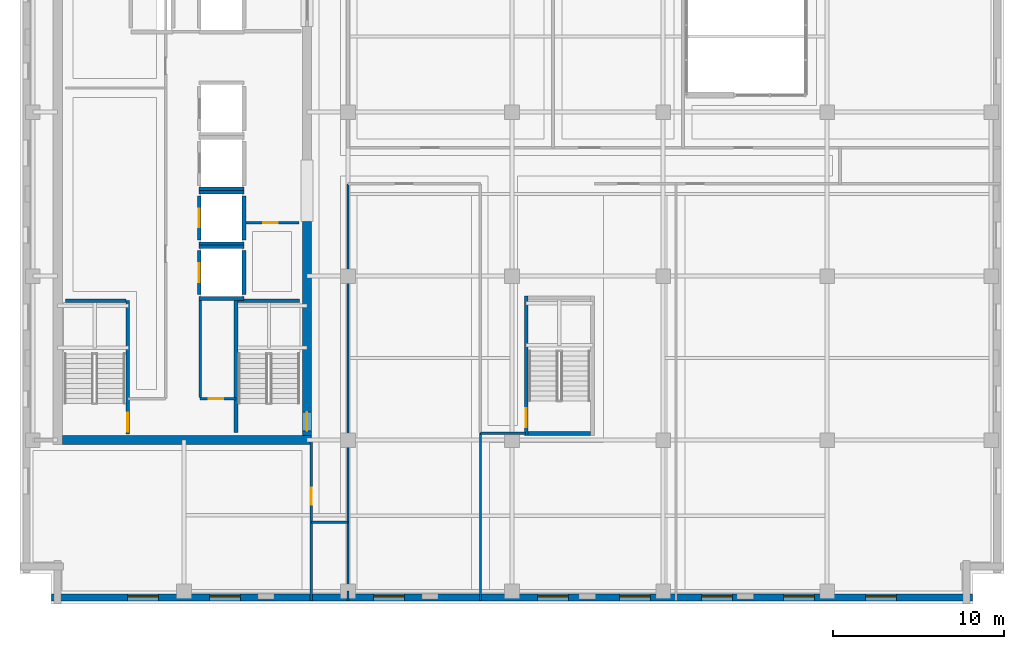
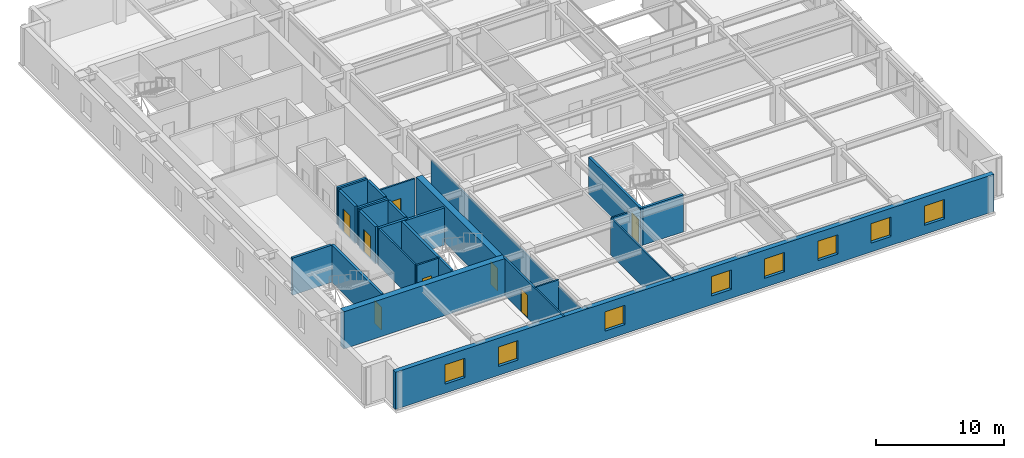
# One storey, part 3 of 12: 27 walls, 8 doors, 8 windows, 16 openings.
"""IFC4 building model written with IfcOpenShell, lengths in metres."""

from ifc_helpers import new_model, si_unit, direction, frame, frame_2d, origin, place, context, subcontext, project, spatial, rectangle, extrude, material, layer, layer_set, type_object, element, fill, save


model = new_model("IFC4")

# Units and contexts
model_context = context("Model", 3, precision=1e-05, world=origin(), true_north=direction((0.0, 1.0)))
body_context = subcontext(model_context, "Body", "Model", "MODEL_VIEW")
ifc_project = project(units=[si_unit("LENGTHUNIT", "METRE"), si_unit("AREAUNIT", "SQUARE_METRE"), si_unit("VOLUMEUNIT", "CUBIC_METRE"), si_unit("PLANEANGLEUNIT", "RADIAN"), si_unit("MASSUNIT", "GRAM", prefix="KILO")], contexts=[model_context])

# Site, building, storey
site_placement = place(None, origin())
site = spatial("IfcSite", under=ifc_project, at=site_placement, CompositionType="ELEMENT")
building_placement = place(site_placement, origin())
building = spatial("IfcBuilding", under=site, at=building_placement, Name="Norrvale University Quadrangle", CompositionType="ELEMENT")
storey_placement = place(building_placement, frame((0.0, 0.0, 225.60009765625)))
storey = spatial("IfcBuildingStorey", under=building, at=storey_placement, Name="L57", CompositionType="ELEMENT", Elevation=225.60009765625)

# Wall, openings, windows
ifc_material_1 = material(Name="Buff Norman Clay Brick Masonry", Category="masonry")
ifc_layer_1 = layer(ifc_material_1, 0.419921875, Name="Buff Norman Clay Brick Masonry")
ifc_layer_set_1 = layer_set([ifc_layer_1], Name="Buff Norman Clay Brick Masonry")
wall_type_1 = type_object("IfcWallType", Name="Wall Buff Brick 420", PredefinedType="SOLIDWALL", material=ifc_layer_set_1)
wall_1_placement = place(storey_placement, frame((1.840087890625, 0.389892578125, 0.0), z_axis=(0.0, 0.0, 1.0), x_axis=(1.0, 0.0, 0.0)))
wall_1 = element("IfcWall", 1, at=wall_1_placement, inside=storey, type_object=wall_type_1, Name="Exterior Brick Facade Wall L57-01.1", PredefinedType="SOLIDWALL", context=body_context, shape_type="SweptSolid", body=[
    extrude(rectangle(XDim=53.919921875, YDim=0.419921875, at=frame_2d((26.9599609375, 0.0))), origin(), (0.0, 0.0, 1.0), 3.539794921875),
])
opening_1_placement = place(wall_1_placement, frame((4.4599609375, 0.0, 0.85009765625)))
opening_1 = element("IfcOpeningElement", 2, at=opening_1_placement, cuts=wall_1, Name="Opening W01", PredefinedType="OPENING", context=body_context, shape_type="SweptSolid", body=[
    extrude(rectangle(XDim=1.800048828125, YDim=1.85009765625, at=frame_2d((0.89990234375, 0.925048828125))), frame((0.0, 0.221923828125, 0.0), z_axis=(0.0, -1.0, 0.0), x_axis=(1.0, 0.0, 0.0)), (0.0, 0.0, 1.0), 0.44384765625),
])
opening_2_placement = place(wall_1_placement, frame((9.260009765625, 0.0, 0.85009765625)))
opening_2 = element("IfcOpeningElement", 3, at=opening_2_placement, cuts=wall_1, Name="Opening W01", PredefinedType="OPENING", context=body_context, shape_type="SweptSolid", body=[
    extrude(rectangle(XDim=1.800048828125, YDim=1.85009765625, at=frame_2d((0.89990234375, 0.925048828125))), frame((0.0, 0.221923828125, 0.0), z_axis=(0.0, -1.0, 0.0), x_axis=(1.0, 0.0, 0.0)), (0.0, 0.0, 1.0), 0.44384765625),
])
opening_3_placement = place(wall_1_placement, frame((18.860107421875, 0.0, 0.85009765625)))
opening_3 = element("IfcOpeningElement", 4, at=opening_3_placement, cuts=wall_1, Name="Opening W01", PredefinedType="OPENING", context=body_context, shape_type="SweptSolid", body=[
    extrude(rectangle(XDim=1.800048828125, YDim=1.85009765625, at=frame_2d((0.89990234375, 0.925048828125))), frame((0.0, 0.221923828125, 0.0), z_axis=(0.0, -1.0, 0.0), x_axis=(1.0, 0.0, 0.0)), (0.0, 0.0, 1.0), 0.44384765625),
])
opening_4_placement = place(wall_1_placement, frame((28.4599609375, 0.0, 0.85009765625)))
opening_4 = element("IfcOpeningElement", 5, at=opening_4_placement, cuts=wall_1, Name="Opening W01", PredefinedType="OPENING", context=body_context, shape_type="SweptSolid", body=[
    extrude(rectangle(XDim=1.800048828125, YDim=1.85009765625, at=frame_2d((0.89990234375, 0.925048828125))), frame((0.0, 0.221923828125, 0.0), z_axis=(0.0, -1.0, 0.0), x_axis=(1.0, 0.0, 0.0)), (0.0, 0.0, 1.0), 0.44384765625),
])
opening_5_placement = place(wall_1_placement, frame((33.260009765625, 0.0, 0.85009765625)))
opening_5 = element("IfcOpeningElement", 6, at=opening_5_placement, cuts=wall_1, Name="Opening W01", PredefinedType="OPENING", context=body_context, shape_type="SweptSolid", body=[
    extrude(rectangle(XDim=1.800048828125, YDim=1.85009765625, at=frame_2d((0.89990234375, 0.925048828125))), frame((0.0, 0.221923828125, 0.0), z_axis=(0.0, -1.0, 0.0), x_axis=(1.0, 0.0, 0.0)), (0.0, 0.0, 1.0), 0.44384765625),
])
opening_6_placement = place(wall_1_placement, frame((38.06005859375, 0.0, 0.85009765625)))
opening_6 = element("IfcOpeningElement", 7, at=opening_6_placement, cuts=wall_1, Name="Opening W01", PredefinedType="OPENING", context=body_context, shape_type="SweptSolid", body=[
    extrude(rectangle(XDim=1.800048828125, YDim=1.85009765625, at=frame_2d((0.89990234375, 0.925048828125))), frame((0.0, 0.221923828125, 0.0), z_axis=(0.0, -1.0, 0.0), x_axis=(1.0, 0.0, 0.0)), (0.0, 0.0, 1.0), 0.44384765625),
])
opening_7_placement = place(wall_1_placement, frame((42.860107421875, 0.0, 0.85009765625)))
opening_7 = element("IfcOpeningElement", 8, at=opening_7_placement, cuts=wall_1, Name="Opening W01", PredefinedType="OPENING", context=body_context, shape_type="SweptSolid", body=[
    extrude(rectangle(XDim=1.800048828125, YDim=1.85009765625, at=frame_2d((0.89990234375, 0.925048828125))), frame((0.0, 0.221923828125, 0.0), z_axis=(0.0, -1.0, 0.0), x_axis=(1.0, 0.0, 0.0)), (0.0, 0.0, 1.0), 0.44384765625),
])
opening_8_placement = place(wall_1_placement, frame((47.659912109375, 0.0, 0.85009765625)))
opening_8 = element("IfcOpeningElement", 9, at=opening_8_placement, cuts=wall_1, Name="Opening W01", PredefinedType="OPENING", context=body_context, shape_type="SweptSolid", body=[
    extrude(rectangle(XDim=1.800048828125, YDim=1.85009765625, at=frame_2d((0.89990234375, 0.925048828125))), frame((0.0, 0.221923828125, 0.0), z_axis=(0.0, -1.0, 0.0), x_axis=(1.0, 0.0, 0.0)), (0.0, 0.0, 1.0), 0.44384765625),
])
ifc_material_2 = material(Name="Triple Low-E Argon Glazing", Category="glass")
window_type = type_object("IfcWindowType", Name="Window Academic 1800x2300", PartitioningType="DOUBLE_PANEL_VERTICAL", PredefinedType="WINDOW", material=ifc_material_2)
window_1_placement = place(opening_1_placement, origin())
window_1 = element("IfcWindow", 10, at=window_1_placement, inside=storey, type_object=window_type, Name="Window Academic 1800x2300 WIN-L57-E01-1-01", OverallHeight=1.85009765625, OverallWidth=1.800048828125, PartitioningType="DOUBLE_PANEL_VERTICAL", PredefinedType="WINDOW", context=body_context, shape_type="SweptSolid", body=[
    extrude(rectangle(XDim=1.800048828125, YDim=1.85009765625, at=frame_2d((0.89990234375, 0.925048828125))), frame((0.0, 0.110107421875, 0.0), z_axis=(0.0, -1.0, 0.0), x_axis=(1.0, 0.0, 0.0)), (0.0, 0.0, 1.0), 0.06005859375),
])
fill(opening_1, window_1)
window_2_placement = place(opening_2_placement, origin())
window_2 = element("IfcWindow", 11, at=window_2_placement, inside=storey, type_object=window_type, Name="Window Academic 1800x2300 WIN-L57-E01-1-02", OverallHeight=1.85009765625, OverallWidth=1.800048828125, PartitioningType="DOUBLE_PANEL_VERTICAL", PredefinedType="WINDOW", context=body_context, shape_type="SweptSolid", body=[
    extrude(rectangle(XDim=1.800048828125, YDim=1.85009765625, at=frame_2d((0.89990234375, 0.925048828125))), frame((0.0, 0.110107421875, 0.0), z_axis=(0.0, -1.0, 0.0), x_axis=(1.0, 0.0, 0.0)), (0.0, 0.0, 1.0), 0.06005859375),
])
fill(opening_2, window_2)
window_3_placement = place(opening_3_placement, origin())
window_3 = element("IfcWindow", 12, at=window_3_placement, inside=storey, type_object=window_type, Name="Window Academic 1800x2300 WIN-L57-E01-1-03", OverallHeight=1.85009765625, OverallWidth=1.800048828125, PartitioningType="DOUBLE_PANEL_VERTICAL", PredefinedType="WINDOW", context=body_context, shape_type="SweptSolid", body=[
    extrude(rectangle(XDim=1.800048828125, YDim=1.85009765625, at=frame_2d((0.89990234375, 0.925048828125))), frame((0.0, 0.110107421875, 0.0), z_axis=(0.0, -1.0, 0.0), x_axis=(1.0, 0.0, 0.0)), (0.0, 0.0, 1.0), 0.06005859375),
])
fill(opening_3, window_3)
window_4_placement = place(opening_4_placement, origin())
window_4 = element("IfcWindow", 13, at=window_4_placement, inside=storey, type_object=window_type, Name="Window Academic 1800x2300 WIN-L57-E01-1-04", OverallHeight=1.85009765625, OverallWidth=1.800048828125, PartitioningType="DOUBLE_PANEL_VERTICAL", PredefinedType="WINDOW", context=body_context, shape_type="SweptSolid", body=[
    extrude(rectangle(XDim=1.800048828125, YDim=1.85009765625, at=frame_2d((0.89990234375, 0.925048828125))), frame((0.0, 0.110107421875, 0.0), z_axis=(0.0, -1.0, 0.0), x_axis=(1.0, 0.0, 0.0)), (0.0, 0.0, 1.0), 0.06005859375),
])
fill(opening_4, window_4)
window_5_placement = place(opening_5_placement, origin())
window_5 = element("IfcWindow", 14, at=window_5_placement, inside=storey, type_object=window_type, Name="Window Academic 1800x2300 WIN-L57-E01-1-05", OverallHeight=1.85009765625, OverallWidth=1.800048828125, PartitioningType="DOUBLE_PANEL_VERTICAL", PredefinedType="WINDOW", context=body_context, shape_type="SweptSolid", body=[
    extrude(rectangle(XDim=1.800048828125, YDim=1.85009765625, at=frame_2d((0.89990234375, 0.925048828125))), frame((0.0, 0.110107421875, 0.0), z_axis=(0.0, -1.0, 0.0), x_axis=(1.0, 0.0, 0.0)), (0.0, 0.0, 1.0), 0.06005859375),
])
fill(opening_5, window_5)
window_6_placement = place(opening_6_placement, origin())
window_6 = element("IfcWindow", 15, at=window_6_placement, inside=storey, type_object=window_type, Name="Window Academic 1800x2300 WIN-L57-E01-1-06", OverallHeight=1.85009765625, OverallWidth=1.800048828125, PartitioningType="DOUBLE_PANEL_VERTICAL", PredefinedType="WINDOW", context=body_context, shape_type="SweptSolid", body=[
    extrude(rectangle(XDim=1.800048828125, YDim=1.85009765625, at=frame_2d((0.89990234375, 0.925048828125))), frame((0.0, 0.110107421875, 0.0), z_axis=(0.0, -1.0, 0.0), x_axis=(1.0, 0.0, 0.0)), (0.0, 0.0, 1.0), 0.06005859375),
])
fill(opening_6, window_6)
window_7_placement = place(opening_7_placement, origin())
window_7 = element("IfcWindow", 16, at=window_7_placement, inside=storey, type_object=window_type, Name="Window Academic 1800x2300 WIN-L57-E01-1-07", OverallHeight=1.85009765625, OverallWidth=1.800048828125, PartitioningType="DOUBLE_PANEL_VERTICAL", PredefinedType="WINDOW", context=body_context, shape_type="SweptSolid", body=[
    extrude(rectangle(XDim=1.800048828125, YDim=1.85009765625, at=frame_2d((0.89990234375, 0.925048828125))), frame((0.0, 0.110107421875, 0.0), z_axis=(0.0, -1.0, 0.0), x_axis=(1.0, 0.0, 0.0)), (0.0, 0.0, 1.0), 0.06005859375),
])
fill(opening_7, window_7)
window_8_placement = place(opening_8_placement, origin())
window_8 = element("IfcWindow", 17, at=window_8_placement, inside=storey, type_object=window_type, Name="Window Academic 1800x2300 WIN-L57-E01-1-08", OverallHeight=1.85009765625, OverallWidth=1.800048828125, PartitioningType="DOUBLE_PANEL_VERTICAL", PredefinedType="WINDOW", context=body_context, shape_type="SweptSolid", body=[
    extrude(rectangle(XDim=1.800048828125, YDim=1.85009765625, at=frame_2d((0.89990234375, 0.925048828125))), frame((0.0, 0.110107421875, 0.0), z_axis=(0.0, -1.0, 0.0), x_axis=(1.0, 0.0, 0.0)), (0.0, 0.0, 1.0), 0.06005859375),
])
fill(opening_8, window_8)

# Wall
ifc_material_3 = material(Name="Concrete C60/75", Category="concrete")
ifc_layer_2 = layer(ifc_material_3, 0.550048828125, Name="Concrete C60/75")
ifc_layer_set_2 = layer_set([ifc_layer_2], Name="Concrete C60/75")
wall_type_2 = type_object("IfcWallType", Name="Wall Core 550", PredefinedType="SHEAR", material=ifc_layer_set_2)
wall_2_placement = place(storey_placement, frame((2.47509765625, 9.60009765625, 0.0), z_axis=(0.0, 0.0, 1.0), x_axis=(1.0, 0.0, 0.0)))
element("IfcWall", 18, at=wall_2_placement, inside=storey, type_object=wall_type_2, Name="Tower Core Shear Wall L57-S", PredefinedType="SHEAR", context=body_context, shape_type="SweptSolid", body=[
    extrude(rectangle(XDim=14.599853515625, YDim=0.550048828125, at=frame_2d((7.2998046875, 0.0))), origin(), (0.0, 0.0, 1.0), 3.539794921875),
])

# Wall, opening, door
wall_3_placement = place(storey_placement, frame((16.800048828125, 9.875, 0.0), z_axis=(0.0, 0.0, 1.0), x_axis=(0.0, 1.0, 0.0)))
wall_3 = element("IfcWall", 19, at=wall_3_placement, inside=storey, type_object=wall_type_2, Name="Tower Core Shear Wall L57-E1", PredefinedType="SHEAR", context=body_context, shape_type="SweptSolid", body=[
    extrude(rectangle(XDim=12.52490234375, YDim=0.550048828125, at=frame_2d((6.262451171875, 0.0))), origin(), (0.0, 0.0, 1.0), 3.539794921875),
])
opening_9_placement = place(wall_3_placement, frame((0.264892578125, 0.0, 0.0)))
opening_9 = element("IfcOpeningElement", 20, at=opening_9_placement, cuts=wall_3, Name="Opening D02", PredefinedType="OPENING", context=body_context, shape_type="SweptSolid", body=[
    extrude(rectangle(XDim=1.10009765625, YDim=2.199951171875, at=frame_2d((0.550048828125, 1.10009765625))), frame((0.0, 0.287109375, 0.0), z_axis=(0.0, -1.0, 0.0), x_axis=(1.0, 0.0, 0.0)), (0.0, 0.0, 1.0), 0.573974609375),
])
ifc_material_4 = material(Name="Hollow Steel 350W Fire Door", Category="steel")
door_type_1 = type_object("IfcDoorType", Name="Door Stair Exit 1100x2200", OperationType="NOTDEFINED", PredefinedType="DOOR", material=ifc_material_4)
door_1_placement = place(opening_9_placement, origin())
door_1 = element("IfcDoor", 21, at=door_1_placement, inside=storey, type_object=door_type_1, Name="Door Stair Exit 1100x2200 DR-L57-ST03", OperationType="SINGLE_SWING_LEFT", OverallHeight=2.199951171875, OverallWidth=1.10009765625, PredefinedType="DOOR", context=body_context, shape_type="SweptSolid", body=[
    extrude(rectangle(XDim=1.10009765625, YDim=2.199951171875, at=frame_2d((0.550048828125, 1.10009765625))), frame((0.0, 0.02490234375, 0.0), z_axis=(0.0, -1.0, 0.0), x_axis=(1.0, 0.0, 0.0)), (0.0, 0.0, 1.0), 0.050048828125),
])
fill(opening_9, door_1)

# Walls
ifc_material_5 = material(Name="Standard Academic Gypsum Partition")
ifc_layer_3 = layer(ifc_material_5, 0.125, Name="Standard Academic Gypsum Partition")
ifc_layer_set_3 = layer_set([ifc_layer_3], Name="Standard Academic Gypsum Partition")
wall_type_3 = type_object("IfcWallType", Name="Wall Gypsum Academic 125", PredefinedType="PARTITIONING", material=ifc_layer_set_3)
wall_4_placement = place(storey_placement, frame((19.199951171875, 0.219970703125, 0.0), z_axis=(0.0, 0.0, 1.0), x_axis=(0.0, 1.0, 0.0)))
element("IfcWall", 22, at=wall_4_placement, inside=storey, type_object=wall_type_3, Name="Interior Partition WL-L57-SE-W0", PredefinedType="PARTITIONING", context=body_context, shape_type="SweptSolid", body=[
    extrude(rectangle(XDim=0.530029296875, YDim=0.125, at=frame_2d((0.26513671875, 0.0))), origin(), (0.0, 0.0, 1.0), 3.539794921875),
])
wall_5_placement = place(storey_placement, frame((19.199951171875, 0.75, 0.0), z_axis=(0.0, 0.0, 1.0), x_axis=(0.0, 1.0, 0.0)))
element("IfcWall", 23, at=wall_5_placement, inside=storey, type_object=wall_type_3, Name="Interior Partition WL-L57-SE-W0-B2", PredefinedType="PARTITIONING", context=body_context, shape_type="SweptSolid", body=[
    extrude(rectangle(XDim=23.85009765625, YDim=0.125, at=frame_2d((11.925048828125, 0.0))), origin(), (0.0, 0.0, 1.0), 2.9228515625),
])
wall_6_placement = place(storey_placement, frame((26.949951171875, 0.219970703125, 0.0), z_axis=(0.0, 0.0, 1.0), x_axis=(0.0, 1.0, 0.0)))
element("IfcWall", 24, at=wall_6_placement, inside=storey, type_object=wall_type_3, Name="Interior Partition WL-L57-SEP1A", PredefinedType="PARTITIONING", context=body_context, shape_type="SweptSolid", body=[
    extrude(rectangle(XDim=9.780029296875, YDim=0.125, at=frame_2d((4.89013671875, 0.0))), origin(), (0.0, 0.0, 1.0), 3.539794921875),
])

# Wall, opening, door
ifc_material_6 = material(Name="Fire-Rated Gypsum Stud Partition")
ifc_layer_4 = layer(ifc_material_6, 0.14990234375, Name="Fire-Rated Gypsum Stud Partition")
ifc_layer_set_4 = layer_set([ifc_layer_4], Name="Fire-Rated Gypsum Stud Partition")
wall_type_4 = type_object("IfcWallType", Name="Wall Gypsum Corridor 150", PredefinedType="PARTITIONING", material=ifc_layer_set_4)
wall_7_placement = place(storey_placement, frame((10.550048828125, 12.02001953125, 0.0), z_axis=(0.0, 0.0, 1.0), x_axis=(1.0, 0.0, 0.0)))
wall_7 = element("IfcWall", 25, at=wall_7_placement, inside=storey, type_object=wall_type_4, Name="Interior Partition WL-L57-SC-NR", PredefinedType="PARTITIONING", context=body_context, shape_type="SweptSolid", body=[
    extrude(rectangle(XDim=2.079833984375, YDim=0.14990234375, at=frame_2d((1.0400390625, 0.0))), origin(), (0.0, 0.0, 1.0), 3.539794921875),
])
opening_10_placement = place(wall_7_placement, frame((0.5, 0.0, 0.0)))
opening_10 = element("IfcOpeningElement", 26, at=opening_10_placement, cuts=wall_7, Name="Opening D10", PredefinedType="OPENING", context=body_context, shape_type="SweptSolid", body=[
    extrude(rectangle(XDim=0.85009765625, YDim=2.10009765625, at=frame_2d((0.425048828125, 1.050048828125))), frame((0.0, 0.0869140625, 0.0), z_axis=(0.0, -1.0, 0.0), x_axis=(1.0, 0.0, 0.0)), (0.0, 0.0, 1.0), 0.173828125),
])
ifc_material_7 = material(Name="Hollow Steel 350W Riser Fire Door", Category="steel")
door_type_2 = type_object("IfcDoorType", Name="Door Riser 850x2100", OperationType="NOTDEFINED", PredefinedType="DOOR", material=ifc_material_7)
door_2_placement = place(opening_10_placement, origin())
door_2 = element("IfcDoor", 27, at=door_2_placement, inside=storey, type_object=door_type_2, Name="Door Riser 850x2100 DR-L57-IDF", OperationType="SINGLE_SWING_RIGHT", OverallHeight=2.10009765625, OverallWidth=0.85009765625, PredefinedType="DOOR", context=body_context, shape_type="SweptSolid", body=[
    extrude(rectangle(XDim=0.85009765625, YDim=2.10009765625, at=frame_2d((0.425048828125, 1.050048828125))), frame((0.0, 0.02490234375, 0.0), z_axis=(0.0, -1.0, 0.0), x_axis=(1.0, 0.0, 0.0)), (0.0, 0.0, 1.0), 0.050048828125),
])
fill(opening_10, door_2)

# Wall
wall_8_placement = place(storey_placement, frame((10.550048828125, 12.094970703125, 0.0), z_axis=(0.0, 0.0, 1.0), x_axis=(0.0, 1.0, 0.0)))
element("IfcWall", 28, at=wall_8_placement, inside=storey, type_object=wall_type_4, Name="Interior Partition WL-L57-SC-WR", PredefinedType="PARTITIONING", context=body_context, shape_type="SweptSolid", body=[
    extrude(rectangle(XDim=5.679931640625, YDim=0.14990234375, at=frame_2d((2.83984375, 0.0))), origin(), (0.0, 0.0, 1.0), 3.539794921875),
])

# Wall, opening, door
wall_9_placement = place(storey_placement, frame((13.22509765625, 22.320068359375, 0.0), z_axis=(0.0, 0.0, 1.0), x_axis=(1.0, 0.0, 0.0)))
wall_9 = element("IfcWall", 29, at=wall_9_placement, inside=storey, type_object=wall_type_4, Name="Interior Partition WL-L57-JAN-N", PredefinedType="PARTITIONING", context=body_context, shape_type="SweptSolid", body=[
    extrude(rectangle(XDim=3.119873046875, YDim=0.14990234375, at=frame_2d((1.56005859375, 0.0))), origin(), (0.0, 0.0, 1.0), 3.539794921875),
])
opening_11_placement = place(wall_9_placement, frame((1.0, 0.0, 0.0)))
opening_11 = element("IfcOpeningElement", 30, at=opening_11_placement, cuts=wall_9, Name="Opening D10", PredefinedType="OPENING", context=body_context, shape_type="SweptSolid", body=[
    extrude(rectangle(XDim=0.85009765625, YDim=2.10009765625, at=frame_2d((0.425048828125, 1.050048828125))), frame((0.0, 0.0869140625, 0.0), z_axis=(0.0, -1.0, 0.0), x_axis=(1.0, 0.0, 0.0)), (0.0, 0.0, 1.0), 0.173828125),
])
door_3_placement = place(opening_11_placement, origin())
door_3 = element("IfcDoor", 31, at=door_3_placement, inside=storey, type_object=door_type_2, Name="Door Riser 850x2100 DR-L57-JAN", OperationType="SINGLE_SWING_LEFT", OverallHeight=2.10009765625, OverallWidth=0.85009765625, PredefinedType="DOOR", context=body_context, shape_type="SweptSolid", body=[
    extrude(rectangle(XDim=0.85009765625, YDim=2.10009765625, at=frame_2d((0.425048828125, 1.050048828125))), frame((0.0, 0.02490234375, 0.0), z_axis=(0.0, -1.0, 0.0), x_axis=(1.0, 0.0, 0.0)), (0.0, 0.0, 1.0), 0.050048828125),
])
fill(opening_11, door_3)

# Wall
wall_10_placement = place(storey_placement, frame((17.050048828125, 4.800048828125, 0.0), z_axis=(0.0, 0.0, 1.0), x_axis=(1.0, 0.0, 0.0)))
element("IfcWall", 32, at=wall_10_placement, inside=storey, type_object=wall_type_4, Name="Interior Partition WL-L57-CSP-S", PredefinedType="PARTITIONING", context=body_context, shape_type="SweptSolid", body=[
    extrude(rectangle(XDim=2.14990234375, YDim=0.14990234375, at=frame_2d((1.074951171875, 0.0))), origin(), (0.0, 0.0, 1.0), 3.539794921875),
])

# Wall, opening, door
wall_11_placement = place(storey_placement, frame((17.050048828125, 0.219970703125, 0.0), z_axis=(0.0, 0.0, 1.0), x_axis=(0.0, 1.0, 0.0)))
wall_11 = element("IfcWall", 33, at=wall_11_placement, inside=storey, type_object=wall_type_4, Name="Interior Partition WL-L57-SW-E", PredefinedType="PARTITIONING", context=body_context, shape_type="SweptSolid", body=[
    extrude(rectangle(XDim=9.380126953125, YDim=0.14990234375, at=frame_2d((4.68994140625, 0.0))), origin(), (0.0, 0.0, 1.0), 3.539794921875),
])
opening_12_placement = place(wall_11_placement, frame((5.580078125, 0.0, 0.0)))
opening_12 = element("IfcOpeningElement", 34, at=opening_12_placement, cuts=wall_11, Name="Opening D04", PredefinedType="OPENING", context=body_context, shape_type="SweptSolid", body=[
    extrude(rectangle(XDim=1.0, YDim=2.199951171875, at=frame_2d((0.5, 1.10009765625))), frame((0.0, 0.0869140625, 0.0), z_axis=(0.0, -1.0, 0.0), x_axis=(1.0, 0.0, 0.0)), (0.0, 0.0, 1.0), 0.173828125),
])
ifc_material_8 = material(Name="Solid-Core Oak Fire Door", Category="wood")
door_type_3 = type_object("IfcDoorType", Name="Door Corridor 1000x2200", OperationType="NOTDEFINED", PredefinedType="DOOR", material=ifc_material_8)
door_4_placement = place(opening_12_placement, origin())
door_4 = element("IfcDoor", 35, at=door_4_placement, inside=storey, type_object=door_type_3, Name="Door Corridor 1000x2200 DR-L57-SW1", OperationType="SINGLE_SWING_LEFT", OverallHeight=2.199951171875, OverallWidth=1.0, PredefinedType="DOOR", context=body_context, shape_type="SweptSolid", body=[
    extrude(rectangle(XDim=1.0, YDim=2.199951171875, at=frame_2d((0.5, 1.10009765625))), frame((0.0, 0.02490234375, 0.0), z_axis=(0.0, -1.0, 0.0), x_axis=(1.0, 0.0, 0.0)), (0.0, 0.0, 1.0), 0.050048828125),
])
fill(opening_12, door_4)

# Wall
wall_12_placement = place(storey_placement, frame((26.949951171875, 10.0, 0.0), z_axis=(0.0, 0.0, 1.0), x_axis=(1.0, 0.0, 0.0)))
element("IfcWall", 36, at=wall_12_placement, inside=storey, type_object=wall_type_4, Name="Interior Partition WL-L57-SEP1C", PredefinedType="PARTITIONING", context=body_context, shape_type="SweptSolid", body=[
    extrude(rectangle(XDim=2.630126953125, YDim=0.14990234375, at=frame_2d((1.31494140625, 0.0))), origin(), (0.0, 0.0, 1.0), 3.539794921875),
])

# Wall, opening, door
ifc_material_9 = material(Name="Concrete Blockwork 20 MPa Fire Shaft", Category="masonry")
ifc_layer_5 = layer(ifc_material_9, 0.219970703125, Name="Concrete Blockwork 20 MPa Fire Shaft")
ifc_layer_set_5 = layer_set([ifc_layer_5], Name="Concrete Blockwork 20 MPa Fire Shaft")
wall_type_5 = type_object("IfcWallType", Name="Wall Shaft 220", PredefinedType="SOLIDWALL", material=ifc_layer_set_5)
wall_13_placement = place(storey_placement, frame((6.31005859375, 9.949951171875, 0.0), z_axis=(0.0, 0.0, 1.0), x_axis=(0.0, 1.0, 0.0)))
wall_13 = element("IfcWall", 37, at=wall_13_placement, inside=storey, type_object=wall_type_5, Name="Stair ST-01 East Shaft Wall L57", PredefinedType="SOLIDWALL", context=body_context, shape_type="SweptSolid", body=[
    extrude(rectangle(XDim=7.81005859375, YDim=0.219970703125, at=frame_2d((3.905029296875, 0.0))), origin(), (0.0, 0.0, 1.0), 3.539794921875),
])
opening_13_placement = place(wall_13_placement, frame((0.139892578125, 0.0, 0.0)))
opening_13 = element("IfcOpeningElement", 38, at=opening_13_placement, cuts=wall_13, Name="Opening D02", PredefinedType="OPENING", context=body_context, shape_type="SweptSolid", body=[
    extrude(rectangle(XDim=1.10009765625, YDim=2.199951171875, at=frame_2d((0.550048828125, 1.10009765625))), frame((0.0, 0.1220703125, 0.0), z_axis=(0.0, -1.0, 0.0), x_axis=(1.0, 0.0, 0.0)), (0.0, 0.0, 1.0), 0.243896484375),
])
door_5_placement = place(opening_13_placement, origin())
door_5 = element("IfcDoor", 39, at=door_5_placement, inside=storey, type_object=door_type_1, Name="Door Stair Exit 1100x2200 DR-L57-ST01", OperationType="SINGLE_SWING_LEFT", OverallHeight=2.199951171875, OverallWidth=1.10009765625, PredefinedType="DOOR", context=body_context, shape_type="SweptSolid", body=[
    extrude(rectangle(XDim=1.10009765625, YDim=2.199951171875, at=frame_2d((0.550048828125, 1.10009765625))), frame((0.0, 0.02490234375, 0.0), z_axis=(0.0, -1.0, 0.0), x_axis=(1.0, 0.0, 0.0)), (0.0, 0.0, 1.0), 0.050048828125),
])
fill(opening_13, door_5)

# Walls
wall_14_placement = place(storey_placement, frame((2.64990234375, 17.760009765625, 0.0), z_axis=(0.0, 0.0, 1.0), x_axis=(1.0, 0.0, 0.0)))
element("IfcWall", 40, at=wall_14_placement, inside=storey, type_object=wall_type_5, Name="Stair ST-01 North Shaft Wall L57", PredefinedType="SOLIDWALL", context=body_context, shape_type="SweptSolid", body=[
    extrude(rectangle(XDim=3.550048828125, YDim=0.219970703125, at=frame_2d((1.77490234375, 0.0))), origin(), (0.0, 0.0, 1.0), 3.539794921875),
])
wall_15_placement = place(storey_placement, frame((12.639892578125, 10.050048828125, 0.0), z_axis=(0.0, 0.0, 1.0), x_axis=(0.0, 1.0, 0.0)))
element("IfcWall", 41, at=wall_15_placement, inside=storey, type_object=wall_type_5, Name="Stair ST-03 West Shaft Wall L57", PredefinedType="SOLIDWALL", context=body_context, shape_type="SweptSolid", body=[
    extrude(rectangle(XDim=7.7099609375, YDim=0.219970703125, at=frame_2d((3.85498046875, 0.0))), origin(), (0.0, 0.0, 1.0), 3.539794921875),
])
wall_16_placement = place(storey_placement, frame((12.75, 17.760009765625, 0.0), z_axis=(0.0, 0.0, 1.0), x_axis=(1.0, 0.0, 0.0)))
element("IfcWall", 42, at=wall_16_placement, inside=storey, type_object=wall_type_5, Name="Stair ST-03 North Shaft Wall L57", PredefinedType="SOLIDWALL", context=body_context, shape_type="SweptSolid", body=[
    extrude(rectangle(XDim=3.60009765625, YDim=0.219970703125, at=frame_2d((1.800048828125, 0.0))), origin(), (0.0, 0.0, 1.0), 3.539794921875),
])
wall_17_placement = place(storey_placement, frame((29.75, 9.989990234375, 0.0), z_axis=(0.0, 0.0, 1.0), x_axis=(1.0, 0.0, 0.0)))
element("IfcWall", 43, at=wall_17_placement, inside=storey, type_object=wall_type_5, Name="Stair ST-04 South Shaft Wall L57", PredefinedType="SOLIDWALL", context=body_context, shape_type="SweptSolid", body=[
    extrude(rectangle(XDim=3.64990234375, YDim=0.219970703125, at=frame_2d((1.824951171875, 0.0))), origin(), (0.0, 0.0, 1.0), 3.539794921875),
])

# Wall, opening, door
wall_18_placement = place(storey_placement, frame((29.639892578125, 9.8798828125, 0.0), z_axis=(0.0, 0.0, 1.0), x_axis=(0.0, 1.0, 0.0)))
wall_18 = element("IfcWall", 44, at=wall_18_placement, inside=storey, type_object=wall_type_5, Name="Stair ST-04 West Shaft Wall L57", PredefinedType="SOLIDWALL", context=body_context, shape_type="SweptSolid", body=[
    extrude(rectangle(XDim=8.14013671875, YDim=0.219970703125, at=frame_2d((4.070068359375, 0.0))), origin(), (0.0, 0.0, 1.0), 3.539794921875),
])
opening_14_placement = place(wall_18_placement, frame((0.469970703125, 0.0, 0.0)))
opening_14 = element("IfcOpeningElement", 45, at=opening_14_placement, cuts=wall_18, Name="Opening D02", PredefinedType="OPENING", context=body_context, shape_type="SweptSolid", body=[
    extrude(rectangle(XDim=1.10009765625, YDim=2.199951171875, at=frame_2d((0.550048828125, 1.10009765625))), frame((0.0, 0.1220703125, 0.0), z_axis=(0.0, -1.0, 0.0), x_axis=(1.0, 0.0, 0.0)), (0.0, 0.0, 1.0), 0.243896484375),
])
door_6_placement = place(opening_14_placement, frame((1.10009765625, 0.0, 0.0), z_axis=(0.0, 0.0, 1.0), x_axis=(-1.0, 0.0, 0.0)))
door_6 = element("IfcDoor", 46, at=door_6_placement, inside=storey, type_object=door_type_1, Name="Door Stair Exit 1100x2200 DR-L57-ST04", OperationType="SINGLE_SWING_RIGHT", OverallHeight=2.199951171875, OverallWidth=1.10009765625, PredefinedType="DOOR", context=body_context, shape_type="SweptSolid", body=[
    extrude(rectangle(XDim=1.10009765625, YDim=2.199951171875, at=frame_2d((0.550048828125, 1.10009765625))), frame((0.0, 0.02490234375, 0.0), z_axis=(0.0, -1.0, 0.0), x_axis=(1.0, 0.0, 0.0)), (0.0, 0.0, 1.0), 0.050048828125),
])
fill(opening_14, door_6)

wall_19_placement = place(storey_placement, frame((10.489990234375, 18.110107421875, 0.0), z_axis=(0.0, 0.0, 1.0), x_axis=(0.0, 1.0, 0.0)))
wall_19 = element("IfcWall", 47, at=wall_19_placement, inside=storey, type_object=wall_type_5, Name="Hoistway PL-05 West Wall L57", PredefinedType="SOLIDWALL", context=body_context, shape_type="SweptSolid", body=[
    extrude(rectangle(XDim=2.579833984375, YDim=0.219970703125, at=frame_2d((1.2900390625, 0.0))), origin(), (0.0, 0.0, 1.0), 3.539794921875),
])
opening_15_placement = place(wall_19_placement, frame((0.739990234375, 0.0, 0.0)))
opening_15 = element("IfcOpeningElement", 48, at=opening_15_placement, cuts=wall_19, Name="Opening LD1", PredefinedType="OPENING", context=body_context, shape_type="SweptSolid", body=[
    extrude(rectangle(XDim=1.10009765625, YDim=2.199951171875, at=frame_2d((0.550048828125, 1.10009765625))), frame((0.0, 0.1220703125, 0.0), z_axis=(0.0, -1.0, 0.0), x_axis=(1.0, 0.0, 0.0)), (0.0, 0.0, 1.0), 0.243896484375),
])
ifc_material_10 = material(Name="Stainless Steel 316L Lift Landing Door", Category="steel")
door_type_4 = type_object("IfcDoorType", Name="Door Lift Landing 1100x2200", OperationType="DOUBLE_DOOR_SLIDING", PredefinedType="DOOR", material=ifc_material_10)
door_7_placement = place(opening_15_placement, origin())
door_7 = element("IfcDoor", 49, at=door_7_placement, inside=storey, type_object=door_type_4, Name="Elevator Landing Door DR-L57-PL-05", OperationType="DOUBLE_DOOR_SLIDING", OverallHeight=2.199951171875, OverallWidth=1.10009765625, PredefinedType="DOOR", context=body_context, shape_type="SweptSolid", body=[
    extrude(rectangle(XDim=1.10009765625, YDim=2.199951171875, at=frame_2d((0.550048828125, 1.10009765625))), frame((0.0, 0.02490234375, 0.0), z_axis=(0.0, -1.0, 0.0), x_axis=(1.0, 0.0, 0.0)), (0.0, 0.0, 1.0), 0.050048828125),
])
fill(opening_15, door_7)

# Walls
wall_20_placement = place(storey_placement, frame((13.110107421875, 18.110107421875, 0.0), z_axis=(0.0, 0.0, 1.0), x_axis=(0.0, 1.0, 0.0)))
element("IfcWall", 50, at=wall_20_placement, inside=storey, type_object=wall_type_5, Name="Hoistway PL-05 East Wall L57", PredefinedType="SOLIDWALL", context=body_context, shape_type="SweptSolid", body=[
    extrude(rectangle(XDim=2.579833984375, YDim=0.219970703125, at=frame_2d((1.2900390625, 0.0))), origin(), (0.0, 0.0, 1.0), 3.539794921875),
])
for number, where, z_axis, x_axis, name in (
    (51, (10.489990234375, 17.889892578125, 0.0), (0.0, 0.0, 1.0), (1.0, 0.0, 0.0), "Hoistway PL-05 South Wall L57"),
    (52, (10.489990234375, 20.909912109375, 0.0), (0.0, 0.0, 1.0), (1.0, 0.0, 0.0), "Hoistway PL-05 North Wall L57"),
):
    element("IfcWall", number, at=place(storey_placement, frame(where, z_axis=z_axis, x_axis=x_axis)), inside=storey, type_object=wall_type_5, Name=name, PredefinedType="SOLIDWALL", context=body_context, shape_type="SweptSolid", body=[
        extrude(rectangle(XDim=2.6201171875, YDim=0.219970703125, at=frame_2d((1.31005859375, 0.0))), origin(), (0.0, 0.0, 1.0), 3.539794921875),
    ])

# Wall, opening, door
wall_21_placement = place(storey_placement, frame((10.489990234375, 21.31005859375, 0.0), z_axis=(0.0, 0.0, 1.0), x_axis=(0.0, 1.0, 0.0)))
wall_21 = element("IfcWall", 53, at=wall_21_placement, inside=storey, type_object=wall_type_5, Name="Hoistway PL-06 West Wall L57", PredefinedType="SOLIDWALL", context=body_context, shape_type="SweptSolid", body=[
    extrude(rectangle(XDim=2.579833984375, YDim=0.219970703125, at=frame_2d((1.2900390625, 0.0))), origin(), (0.0, 0.0, 1.0), 3.539794921875),
])
opening_16_placement = place(wall_21_placement, frame((0.739990234375, 0.0, 0.0)))
opening_16 = element("IfcOpeningElement", 54, at=opening_16_placement, cuts=wall_21, Name="Opening LD1", PredefinedType="OPENING", context=body_context, shape_type="SweptSolid", body=[
    extrude(rectangle(XDim=1.10009765625, YDim=2.199951171875, at=frame_2d((0.550048828125, 1.10009765625))), frame((0.0, 0.1220703125, 0.0), z_axis=(0.0, -1.0, 0.0), x_axis=(1.0, 0.0, 0.0)), (0.0, 0.0, 1.0), 0.243896484375),
])
door_8_placement = place(opening_16_placement, origin())
door_8 = element("IfcDoor", 55, at=door_8_placement, inside=storey, type_object=door_type_4, Name="Elevator Landing Door DR-L57-PL-06", OperationType="DOUBLE_DOOR_SLIDING", OverallHeight=2.199951171875, OverallWidth=1.10009765625, PredefinedType="DOOR", context=body_context, shape_type="SweptSolid", body=[
    extrude(rectangle(XDim=1.10009765625, YDim=2.199951171875, at=frame_2d((0.550048828125, 1.10009765625))), frame((0.0, 0.02490234375, 0.0), z_axis=(0.0, -1.0, 0.0), x_axis=(1.0, 0.0, 0.0)), (0.0, 0.0, 1.0), 0.050048828125),
])
fill(opening_16, door_8)

# Walls
wall_22_placement = place(storey_placement, frame((13.110107421875, 21.31005859375, 0.0), z_axis=(0.0, 0.0, 1.0), x_axis=(0.0, 1.0, 0.0)))
element("IfcWall", 56, at=wall_22_placement, inside=storey, type_object=wall_type_5, Name="Hoistway PL-06 East Wall L57", PredefinedType="SOLIDWALL", context=body_context, shape_type="SweptSolid", body=[
    extrude(rectangle(XDim=2.579833984375, YDim=0.219970703125, at=frame_2d((1.2900390625, 0.0))), origin(), (0.0, 0.0, 1.0), 3.539794921875),
])
for number, where, z_axis, x_axis, name in (
    (57, (10.489990234375, 21.090087890625, 0.0), (0.0, 0.0, 1.0), (1.0, 0.0, 0.0), "Hoistway PL-06 South Wall L57"),
    (58, (10.489990234375, 24.110107421875, 0.0), (0.0, 0.0, 1.0), (1.0, 0.0, 0.0), "Hoistway PL-06 North Wall L57"),
    (59, (10.489990234375, 24.2900390625, 0.0), (0.0, 0.0, 1.0), (1.0, 0.0, 0.0), "Hoistway PL-07 South Wall L57"),
):
    element("IfcWall", number, at=place(storey_placement, frame(where, z_axis=z_axis, x_axis=x_axis)), inside=storey, type_object=wall_type_5, Name=name, PredefinedType="SOLIDWALL", context=body_context, shape_type="SweptSolid", body=[
        extrude(rectangle(XDim=2.6201171875, YDim=0.219970703125, at=frame_2d((1.31005859375, 0.0))), origin(), (0.0, 0.0, 1.0), 3.539794921875),
    ])

save(model, "model.ifc")
